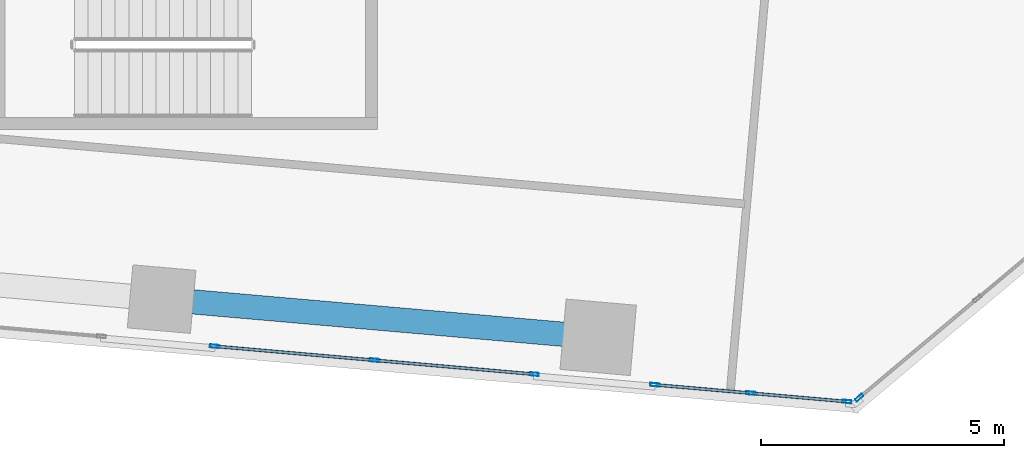
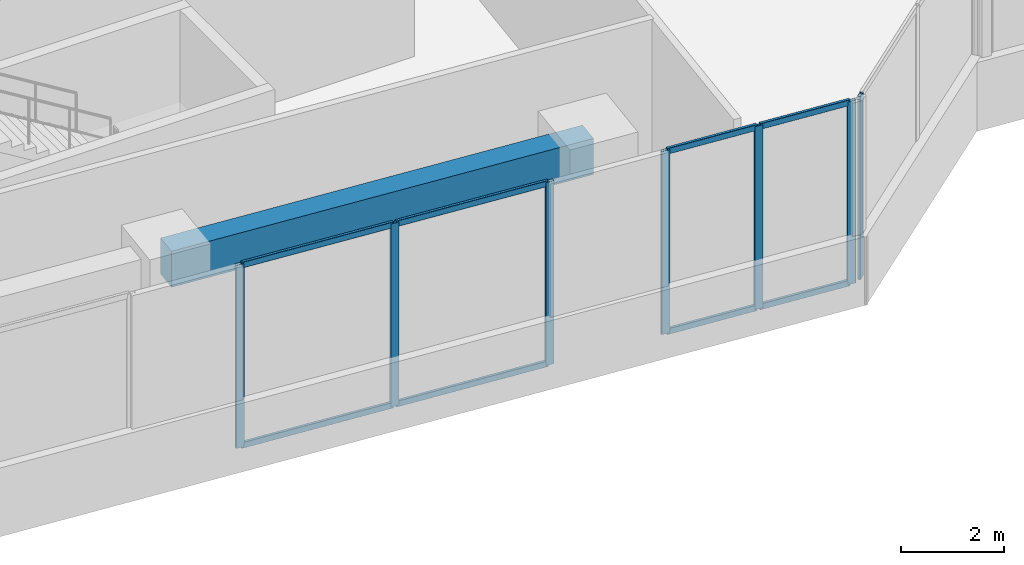
# One storey, part 5 of 24: 15 members, 1 beam, 3 elements without a shape of their own.
"""IFC4 building model written with IfcOpenShell, lengths in metres."""

from ifc_helpers import new_model, si_unit, direction, frame, origin, origin_2d, place, context, subcontext, project, spatial, rectangle, hollow_rectangle, extrude, source, transform, mapped, material, material_profile, profile_set, type_object, element, aggregate, save


model = new_model("IFC4")

# Units and contexts
model_context = context("Model", 3, precision=1e-05, world=origin(), true_north=direction((0.0, 1.0)))
body_context = subcontext(model_context, "Body", "Model", "MODEL_VIEW")
ifc_project = project(units=[si_unit("LENGTHUNIT", "METRE"), si_unit("AREAUNIT", "SQUARE_METRE"), si_unit("VOLUMEUNIT", "CUBIC_METRE"), si_unit("PLANEANGLEUNIT", "RADIAN"), si_unit("MASSUNIT", "GRAM", prefix="KILO")], contexts=[model_context])

# Site, building, storey
site_placement = place(None, origin())
site = spatial("IfcSite", under=ifc_project, at=site_placement, CompositionType="ELEMENT")
building_placement = place(site_placement, origin())
building = spatial("IfcBuilding", under=site, at=building_placement, Name="Torre Montelarca", CompositionType="ELEMENT")
storey_placement = place(building_placement, frame((0.0, 0.0, 47.199951171875)))
storey = spatial("IfcBuildingStorey", under=building, at=storey_placement, Name="L10", CompositionType="ELEMENT", Elevation=47.199951171875)

# Beam
ifc_material_1 = material(Name="Concrete C55/67", Category="concrete")
ifc_material_profile_1 = material_profile(ifc_material_1, rectangle(XDim=0.5, YDim=0.85009765625, at=origin_2d()), Name="RCB500X850", Category="concrete")
ifc_profile_set_1 = profile_set([ifc_material_profile_1], Name="Concrete C55/67")
beam_type = type_object("IfcBeamType", Name="BM-SP-RC850-EXT", PredefinedType="SPANDREL", material=ifc_profile_set_1)
shared_shape_1 = source(origin(), body_context, "Body", "SweptSolid", [
    extrude(rectangle(XDim=0.5, YDim=0.85009765625, at=origin_2d()), origin(), (0.0, 0.0, 1.0), 9.0),
])
beam_placement = place(storey_placement, frame((16.51416015625, 15.17041015625, 4.135009765625), z_axis=(0.996194541889, -0.087157528131, 0.0), x_axis=(0.087157528131, 0.996194541889, 0.0)))
element("IfcBeam", 1, at=beam_placement, inside=storey, type_object=beam_type, Name="L10 Grid Girder X 18.0-27.0 at Y=14.8", PredefinedType="SPANDREL", context=body_context, shape_type="MappedRepresentation", body=[
    mapped(shared_shape_1, transform((0.0, 0.0, 0.0), scale=1.0)),
])

# Curtain wall, members
ifc_material_2 = material(Name="Insulated low-E laminated glass", Category="glass")
curtain_wall_type = type_object("IfcCurtainWallType", Name="CW-SYS-Z1", PredefinedType="USERDEFINED", material=ifc_material_2)
curtain_wall_1_placement = place(storey_placement, origin())
curtain_wall_1 = element("IfcCurtainWall", 2, at=curtain_wall_1_placement, inside=storey, type_object=curtain_wall_type, Name="L10 Curtain Wall Run CW-T3-L10-E01-B2", ObjectType="UNITISED GLAZING", PredefinedType="USERDEFINED")
ifc_material_3 = material(Name="Anodised aluminium AA 6063-T6", Category="aluminium")
ifc_material_profile_2 = material_profile(ifc_material_3, hollow_rectangle(XDim=0.06494140625, YDim=0.179931640625, WallThickness=0.00390625, InnerFilletRadius=0.00390625, OuterFilletRadius=0.008056640625, at=origin_2d()), Name="ALU65X180X4", Category="aluminium")
ifc_profile_set_2 = profile_set([ifc_material_profile_2], Name="Anodised aluminium AA 6063-T6")
member_type_1 = type_object("IfcMemberType", Name="CWM-ALU180", PredefinedType="MULLION", material=ifc_profile_set_2)
shared_shape_2 = source(origin(), body_context, "Body", "SweptSolid", [
    extrude(hollow_rectangle(XDim=0.06494140625, YDim=0.179931640625, WallThickness=0.00390625, InnerFilletRadius=0.00390625, OuterFilletRadius=0.008056640625, at=origin_2d()), origin(), (0.0, 0.0, 1.0), 4.320068359375),
])
member_1_placement = place(storey_placement, frame((17.596435546875, 14.20263671875, 0.0), z_axis=(0.0, 0.0, 1.0), x_axis=(0.087170858802, 0.996193375493, 0.0)))
member_1 = element("IfcMember", 3, at=member_1_placement, type_object=member_type_1, Name="CW mullion 1", PredefinedType="MULLION", context=body_context, shape_type="MappedRepresentation", body=[
    mapped(shared_shape_2, transform((0.0, 0.0, 0.0), scale=1.0)),
])
member_2_placement = place(storey_placement, frame((20.884033203125, 13.914794921875, 0.0), z_axis=(0.0, 0.0, 1.0), x_axis=(0.087170858802, 0.996193375493, 0.0)))
member_2 = element("IfcMember", 4, at=member_2_placement, type_object=member_type_1, Name="CW mullion 2", PredefinedType="MULLION", context=body_context, shape_type="MappedRepresentation", body=[
    mapped(shared_shape_2, transform((0.0, 0.0, 0.0), scale=1.0)),
])
member_3_placement = place(storey_placement, frame((24.17138671875, 13.627197265625, 0.0), z_axis=(0.0, 0.0, 1.0), x_axis=(0.087170858802, 0.996193375493, 0.0)))
member_3 = element("IfcMember", 5, at=member_3_placement, type_object=member_type_1, Name="CW mullion 3", PredefinedType="MULLION", context=body_context, shape_type="MappedRepresentation", body=[
    mapped(shared_shape_2, transform((0.0, 0.0, 0.0), scale=1.0)),
])

curtain_wall_2_placement = place(storey_placement, origin())
curtain_wall_2 = element("IfcCurtainWall", 6, at=curtain_wall_2_placement, inside=storey, type_object=curtain_wall_type, Name="L10 Curtain Wall Run CW-T3-L10-E01-B3", ObjectType="UNITISED GLAZING", PredefinedType="USERDEFINED")
member_4_placement = place(storey_placement, frame((26.636962890625, 13.41162109375, 0.0), z_axis=(0.0, 0.0, 1.0), x_axis=(0.087165102987, 0.996193879133, 0.0)))
member_4 = element("IfcMember", 7, at=member_4_placement, type_object=member_type_1, Name="CW mullion 1", PredefinedType="MULLION", context=body_context, shape_type="MappedRepresentation", body=[
    mapped(shared_shape_2, transform((0.0, 0.0, 0.0), scale=1.0)),
])
member_5_placement = place(storey_placement, frame((28.611572265625, 13.23876953125, 0.0), z_axis=(0.0, 0.0, 1.0), x_axis=(0.087165102987, 0.996193879133, 0.0)))
member_5 = element("IfcMember", 8, at=member_5_placement, type_object=member_type_1, Name="CW mullion 2", PredefinedType="MULLION", context=body_context, shape_type="MappedRepresentation", body=[
    mapped(shared_shape_2, transform((0.0, 0.0, 0.0), scale=1.0)),
])
member_6_placement = place(storey_placement, frame((30.5859375, 13.06591796875, 0.0), z_axis=(0.0, 0.0, 1.0), x_axis=(0.087165102987, 0.996193879133, 0.0)))
member_6 = element("IfcMember", 9, at=member_6_placement, type_object=member_type_1, Name="CW mullion 3", PredefinedType="MULLION", context=body_context, shape_type="MappedRepresentation", body=[
    mapped(shared_shape_2, transform((0.0, 0.0, 0.0), scale=1.0)),
])

# Curtain wall, member
curtain_wall_3_placement = place(storey_placement, origin())
curtain_wall_3 = element("IfcCurtainWall", 10, at=curtain_wall_3_placement, inside=storey, type_object=curtain_wall_type, Name="L10 Curtain Wall Run CW-T3-L10-E02-B1", ObjectType="UNITISED GLAZING", PredefinedType="USERDEFINED")
member_7_placement = place(storey_placement, frame((30.840576171875, 13.146484375, 0.0), z_axis=(0.0, 0.0, 1.0), x_axis=(-0.642777937498, 0.766052558945, 0.0)))
member_7 = element("IfcMember", 11, at=member_7_placement, type_object=member_type_1, Name="CW mullion 1", PredefinedType="MULLION", context=body_context, shape_type="MappedRepresentation", body=[
    mapped(shared_shape_2, transform((0.0, 0.0, 0.0), scale=1.0)),
])
aggregate(curtain_wall_3, [member_7])

# Member
ifc_material_profile_3 = material_profile(ifc_material_3, hollow_rectangle(XDim=0.06494140625, YDim=0.139892578125, WallThickness=0.00390625, InnerFilletRadius=0.00390625, OuterFilletRadius=0.008056640625, at=origin_2d()), Name="ALU65X140X4", Category="aluminium")
ifc_profile_set_3 = profile_set([ifc_material_profile_3], Name="Anodised aluminium AA 6063-T6")
member_type_2 = type_object("IfcMemberType", Name="CWT-ALU140", PredefinedType="USERDEFINED", material=ifc_profile_set_3)
shared_shape_3 = source(origin(), body_context, "Body", "SweptSolid", [
    extrude(hollow_rectangle(XDim=0.06494140625, YDim=0.139892578125, WallThickness=0.00390625, InnerFilletRadius=0.00390625, OuterFilletRadius=0.008056640625, at=origin_2d()), origin(), (0.0, 0.0, 1.0), 3.235107421875),
])
member_8_placement = place(storey_placement, frame((20.916259765625, 13.912109375, 0.032470703125), z_axis=(0.996194290852, -0.087160397389, 0.0), x_axis=(0.087160397389, 0.996194290852, 0.0)))
member_8 = element("IfcMember", 12, at=member_8_placement, type_object=member_type_2, Name="CW transom 2.1", ObjectType="TRANSOM", PredefinedType="USERDEFINED", context=body_context, shape_type="MappedRepresentation", body=[
    mapped(shared_shape_3, transform((0.0, 0.0, 0.0), scale=1.0)),
])

member_9_placement = place(storey_placement, frame((20.916259765625, 13.912109375, 4.28759765625), z_axis=(0.996194290852, -0.087160397389, 0.0), x_axis=(0.087160397389, 0.996194290852, 0.0)))
member_9 = element("IfcMember", 13, at=member_9_placement, type_object=member_type_2, Name="CW transom 2.2", ObjectType="TRANSOM", PredefinedType="USERDEFINED", context=body_context, shape_type="MappedRepresentation", body=[
    mapped(shared_shape_3, transform((0.0, 0.0, 0.0), scale=1.0)),
])

shared_shape_4 = source(origin(), body_context, "Body", "SweptSolid", [
    extrude(hollow_rectangle(XDim=0.06494140625, YDim=0.139892578125, WallThickness=0.00390625, InnerFilletRadius=0.00390625, OuterFilletRadius=0.008056640625, at=origin_2d()), origin(), (0.0, 0.0, 1.0), 1.9169921875),
])
member_10_placement = place(storey_placement, frame((26.66943359375, 13.40869140625, 0.032470703125), z_axis=(0.996198416208, -0.087113234043, 0.0), x_axis=(0.087113234043, 0.996198416208, 0.0)))
member_10 = element("IfcMember", 14, at=member_10_placement, type_object=member_type_2, Name="CW transom 1.1", ObjectType="TRANSOM", PredefinedType="USERDEFINED", context=body_context, shape_type="MappedRepresentation", body=[
    mapped(shared_shape_4, transform((0.0, 0.0, 0.0), scale=1.0)),
])

member_11_placement = place(storey_placement, frame((26.66943359375, 13.40869140625, 4.28759765625), z_axis=(0.996198416208, -0.087113234043, 0.0), x_axis=(0.087113234043, 0.996198416208, 0.0)))
member_11 = element("IfcMember", 15, at=member_11_placement, type_object=member_type_2, Name="CW transom 1.2", ObjectType="TRANSOM", PredefinedType="USERDEFINED", context=body_context, shape_type="MappedRepresentation", body=[
    mapped(shared_shape_4, transform((0.0, 0.0, 0.0), scale=1.0)),
])

shared_shape_5 = source(origin(), body_context, "Body", "SweptSolid", [
    extrude(hollow_rectangle(XDim=0.06494140625, YDim=0.139892578125, WallThickness=0.00390625, InnerFilletRadius=0.00390625, OuterFilletRadius=0.008056640625, at=origin_2d()), origin(), (0.0, 0.0, 1.0), 3.23486328125),
])
member_12_placement = place(storey_placement, frame((17.62890625, 14.19970703125, 0.032470703125), z_axis=(0.996193717496, -0.087166950281, 0.0), x_axis=(0.087166950281, 0.996193717496, 0.0)))
member_12 = element("IfcMember", 16, at=member_12_placement, type_object=member_type_2, Name="CW transom 1.1", ObjectType="TRANSOM", PredefinedType="USERDEFINED", context=body_context, shape_type="MappedRepresentation", body=[
    mapped(shared_shape_5, transform((0.0, 0.0, 0.0), scale=1.0)),
])

member_13_placement = place(storey_placement, frame((17.62890625, 14.19970703125, 4.28759765625), z_axis=(0.996193717496, -0.087166950281, 0.0), x_axis=(0.087166950281, 0.996193717496, 0.0)))
member_13 = element("IfcMember", 17, at=member_13_placement, type_object=member_type_2, Name="CW transom 1.2", ObjectType="TRANSOM", PredefinedType="USERDEFINED", context=body_context, shape_type="MappedRepresentation", body=[
    mapped(shared_shape_5, transform((0.0, 0.0, 0.0), scale=1.0)),
])

aggregate(curtain_wall_1, [member_1, member_2, member_3, member_12, member_13, member_8, member_9])

shared_shape_6 = source(origin(), body_context, "Body", "SweptSolid", [
    extrude(hollow_rectangle(XDim=0.06494140625, YDim=0.139892578125, WallThickness=0.00390625, InnerFilletRadius=0.00390625, OuterFilletRadius=0.008056640625, at=origin_2d()), origin(), (0.0, 0.0, 1.0), 1.917236328125),
])
member_14_placement = place(storey_placement, frame((28.643798828125, 13.236083984375, 0.032470703125), z_axis=(0.996188324975, -0.087228557153, 0.0), x_axis=(0.087228557153, 0.996188324975, 0.0)))
member_14 = element("IfcMember", 18, at=member_14_placement, type_object=member_type_2, Name="CW transom 2.1", ObjectType="TRANSOM", PredefinedType="USERDEFINED", context=body_context, shape_type="MappedRepresentation", body=[
    mapped(shared_shape_6, transform((0.0, 0.0, 0.0), scale=1.0)),
])

member_15_placement = place(storey_placement, frame((28.643798828125, 13.236083984375, 4.28759765625), z_axis=(0.996188324975, -0.087228557153, 0.0), x_axis=(0.087228557153, 0.996188324975, 0.0)))
member_15 = element("IfcMember", 19, at=member_15_placement, type_object=member_type_2, Name="CW transom 2.2", ObjectType="TRANSOM", PredefinedType="USERDEFINED", context=body_context, shape_type="MappedRepresentation", body=[
    mapped(shared_shape_6, transform((0.0, 0.0, 0.0), scale=1.0)),
])

aggregate(curtain_wall_2, [member_4, member_5, member_6, member_10, member_11, member_14, member_15])

save(model, "model.ifc")
